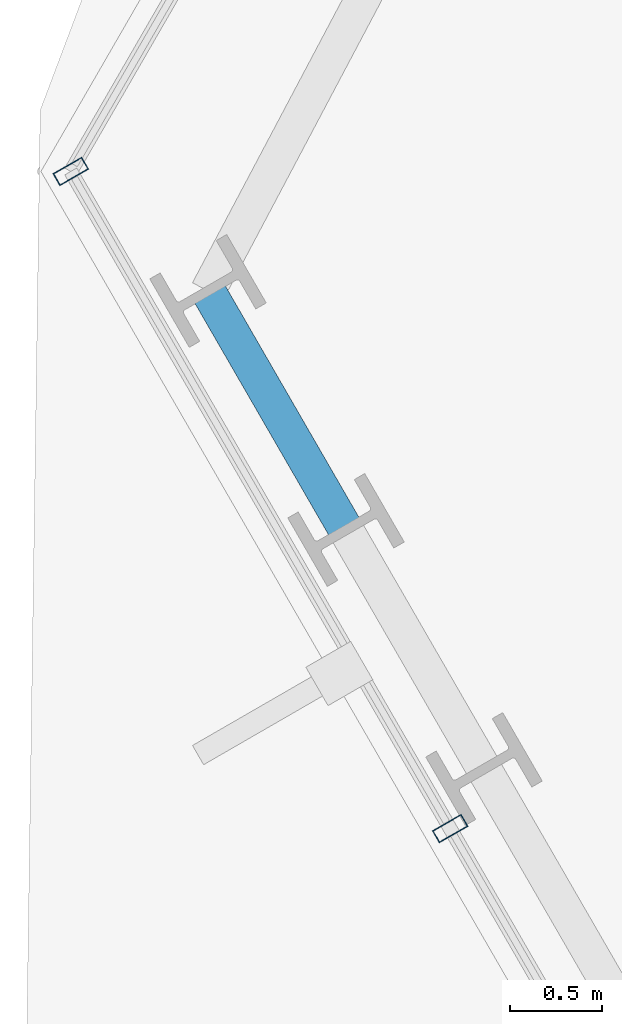
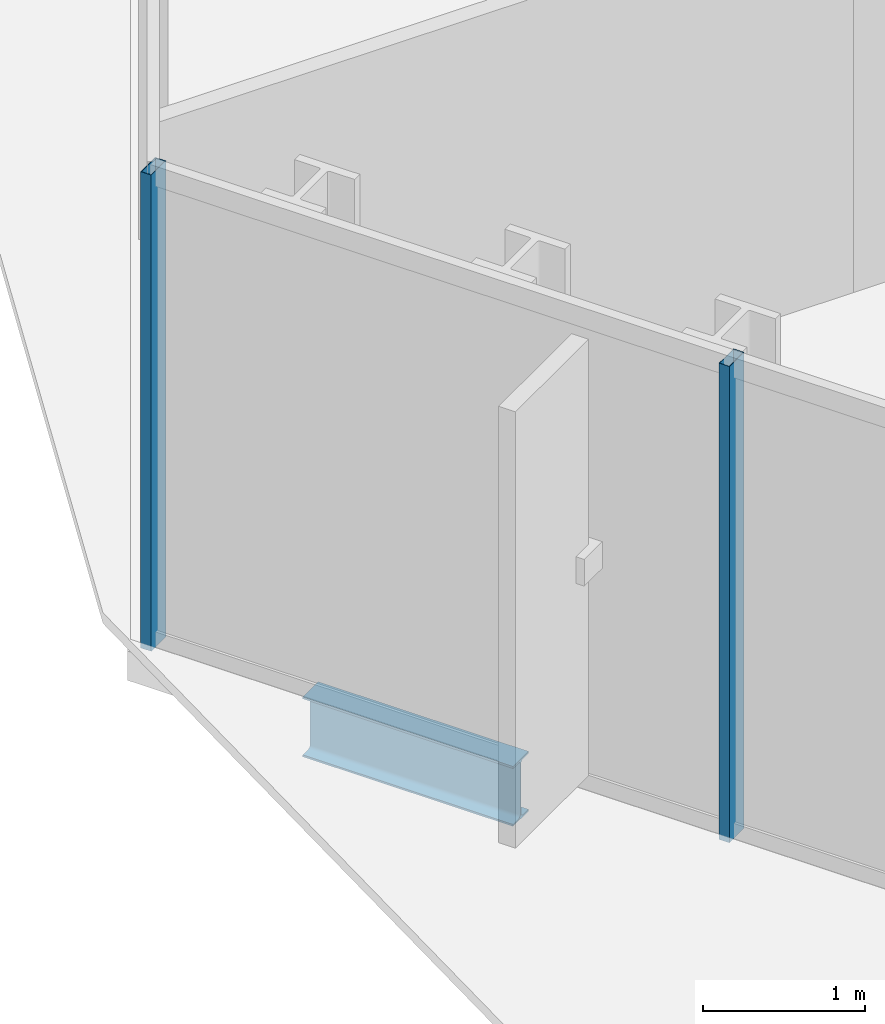
# One storey, part 5 of 36: 2 members, 1 beam, 1 element without a shape of its own.
"""IFC4 building model written with IfcOpenShell, lengths in metres."""

from ifc_helpers import new_model, si_unit, direction, frame, origin, origin_2d, place, context, subcontext, project, spatial, hollow_rectangle, i_section, extrude, material, layer, layer_set, material_profile, profile_set, type_object, element, aggregate, save


model = new_model("IFC4")

# Units and contexts
model_context = context("Model", 3, precision=1e-05, world=origin(), true_north=direction((0.0, 1.0)))
body_context = subcontext(model_context, "Body", "Model", "MODEL_VIEW")
ifc_project = project(units=[si_unit("LENGTHUNIT", "METRE"), si_unit("AREAUNIT", "SQUARE_METRE"), si_unit("VOLUMEUNIT", "CUBIC_METRE"), si_unit("PLANEANGLEUNIT", "RADIAN"), si_unit("MASSUNIT", "GRAM", prefix="KILO")], contexts=[model_context])

# Site, building, storey
site_placement = place(None, origin())
site = spatial("IfcSite", under=ifc_project, at=site_placement, CompositionType="ELEMENT")
building_placement = place(site_placement, origin())
building = spatial("IfcBuilding", under=site, at=building_placement, Name="Ndaravel Arena Tower", CompositionType="ELEMENT")
storey_placement = place(building_placement, frame((0.0, 0.0, 127.0)))
storey = spatial("IfcBuildingStorey", under=building, at=storey_placement, Name="L29", CompositionType="ELEMENT", Elevation=127.0)

# Beam
ifc_material_1 = material(Name="Steel S355", Category="steel")
ifc_material_profile_1 = material_profile(ifc_material_1, i_section(OverallWidth=0.18994140625, OverallDepth=0.449951171875, WebThickness=0.009521484375, FlangeThickness=0.0146484375, FilletRadius=0.02099609375, at=origin_2d()), Name="IPE 450")
ifc_profile_set_1 = profile_set([ifc_material_profile_1], Name="Steel S355")
beam_type = type_object("IfcBeamType", Name="BM-SPAN-IPE450", PredefinedType="SPANDREL", material=ifc_profile_set_1)
beam_placement = place(storey_placement, frame((19.132080078125, 15.193603515625, -0.445068359375), z_axis=(0.500019200167, -0.866014318279, 0.0), x_axis=(0.866014318279, 0.500019200167, 0.0)))
element("IfcBeam", 1, at=beam_placement, inside=storey, type_object=beam_type, Name="L29 Perimeter Spandrel Beam SP-20", PredefinedType="SPANDREL", context=body_context, shape_type="SweptSolid", body=[
    extrude(i_section(OverallWidth=0.18994140625, OverallDepth=0.449951171875, WebThickness=0.009521484375, FlangeThickness=0.0146484375, FilletRadius=0.02099609375, at=origin_2d()), origin(), (0.0, 0.0, 1.0), 1.49560546875),
])

# Curtain wall, members
ifc_material_2 = material(Name="Aluminium", Category="aluminium")
ifc_layer = layer(ifc_material_2, 0.179931640625)
ifc_layer_set = layer_set([ifc_layer], Name="Aluminium")
curtain_wall_type = type_object("IfcCurtainWallType", Name="CW-SYS-02", PredefinedType="NOTDEFINED", material=ifc_layer_set)
curtain_wall_placement = place(storey_placement, origin())
curtain_wall = element("IfcCurtainWall", 2, at=curtain_wall_placement, inside=storey, type_object=curtain_wall_type, Name="L29 Faceted Crystal Curtain Wall CW-L29-E06", PredefinedType="NOTDEFINED")
ifc_material_3 = material(Name="Aluminium", Category="aluminium")
ifc_material_profile_2 = material_profile(ifc_material_3, hollow_rectangle(XDim=0.074951171875, YDim=0.179931640625, WallThickness=0.00390625, at=origin_2d()), Name="CW MULLION 75x180x4")
ifc_profile_set_2 = profile_set([ifc_material_profile_2], Name="Aluminium")
member_type = type_object("IfcMemberType", Name="MEM-CW-MUL180", PredefinedType="MULLION", material=ifc_profile_set_2)
member_1_placement = place(storey_placement, frame((18.388671875, 15.841064453125, 0.0), z_axis=(0.0, 0.0, 1.0), x_axis=(0.5, -0.866025403784, 0.0)))
member_1 = element("IfcMember", 3, at=member_1_placement, type_object=member_type, Name="CW-L29-E06 Mullion 00", PredefinedType="MULLION", context=body_context, shape_type="SweptSolid", body=[
    extrude(hollow_rectangle(XDim=0.074951171875, YDim=0.179931640625, WallThickness=0.00390625, at=origin_2d()), origin(), (0.0, 0.0, 1.0), 3.580078125),
])
member_2_placement = place(storey_placement, frame((20.4443359375, 12.28076171875, 0.0), z_axis=(0.0, 0.0, 1.0), x_axis=(0.5, -0.866025403784, 0.0)))
member_2 = element("IfcMember", 4, at=member_2_placement, type_object=member_type, Name="CW-L29-E06 Mullion 01", PredefinedType="MULLION", context=body_context, shape_type="SweptSolid", body=[
    extrude(hollow_rectangle(XDim=0.074951171875, YDim=0.179931640625, WallThickness=0.00390625, at=origin_2d()), origin(), (0.0, 0.0, 1.0), 3.580078125),
])
aggregate(curtain_wall, [member_1, member_2])

save(model, "model.ifc")
